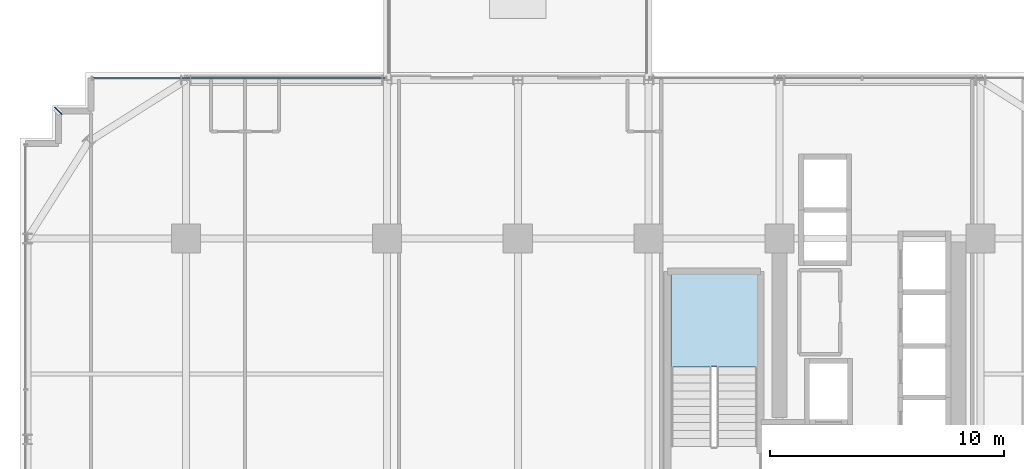
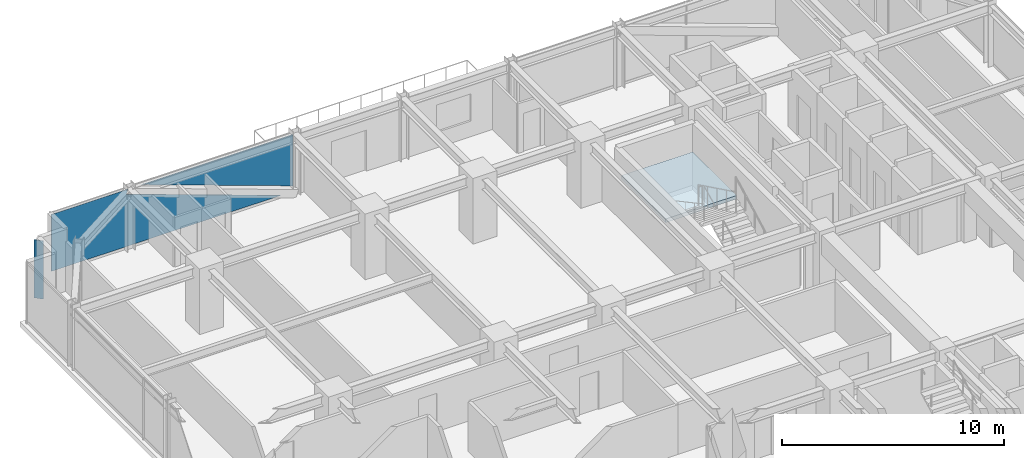
# One storey, part 30 of 41: 2 plates, 1 slab, 2 elements without a shape of their own.
"""IFC4 building model written with IfcOpenShell, lengths in metres."""

from ifc_helpers import new_model, si_unit, direction, frame, origin, origin_2d, place, context, subcontext, project, spatial, polyline, rectangle, outline, extrude, source, transform, mapped, material, layer, layer_set, type_object, element, aggregate, save


model = new_model("IFC4")

# Units and contexts
model_context = context("Model", 3, precision=1e-05, world=origin(), true_north=direction((0.0, 1.0)))
body_context = subcontext(model_context, "Body", "Model", "MODEL_VIEW")
ifc_project = project(units=[si_unit("LENGTHUNIT", "METRE"), si_unit("AREAUNIT", "SQUARE_METRE"), si_unit("VOLUMEUNIT", "CUBIC_METRE"), si_unit("PLANEANGLEUNIT", "RADIAN"), si_unit("MASSUNIT", "GRAM", prefix="KILO")], contexts=[model_context])

# Site, building, storey
site_placement = place(None, origin())
site = spatial("IfcSite", under=ifc_project, at=site_placement, CompositionType="ELEMENT")
building_placement = place(site_placement, origin())
building = spatial("IfcBuilding", under=site, at=building_placement, Name="Nahalor Promenade Grand Hotel", CompositionType="ELEMENT")
storey_placement = place(building_placement, frame((0.0, 0.0, 113.85009765625)))
storey = spatial("IfcBuildingStorey", under=building, at=storey_placement, Name="L28", CompositionType="ELEMENT", Elevation=113.85009765625)

# Curtain wall, plate
ifc_material_1 = material(Name="Anodised Bronze Aluminium EN AW-6063 T6", Category="aluminium")
curtain_wall_type = type_object("IfcCurtainWallType", Name="CW2 Typical Hotel Flush Bronze Unitised Curtain Wall", PredefinedType="USERDEFINED", material=ifc_material_1)
curtain_wall_placement = place(storey_placement, origin())
curtain_wall = element("IfcCurtainWall", 1, at=curtain_wall_placement, inside=storey, type_object=curtain_wall_type, Name="L28 Curtain Wall CW-L28-N-1", ObjectType="UNITISED_CURTAIN_WALL", PredefinedType="USERDEFINED")
ifc_material_2 = material(Name="Low-E Laminated Solar Glass", Category="glass")
ifc_layer_1 = layer(ifc_material_2, 0.028076171875)
ifc_layer_set_1 = layer_set([ifc_layer_1], Name="Low-E Laminated Solar Glass")
plate_type_1 = type_object("IfcPlateType", Name="CWP2 Bronze Low-E Vision IGU 28mm", PredefinedType="CURTAIN_PANEL", material=ifc_layer_set_1)
plate_1_placement = place(storey_placement, frame((-14.72998046875, 23.860107421875, 0.1298828125), z_axis=(0.0, 0.0, 1.0), x_axis=(1.0, 0.0, 0.0)))
plate_1 = element("IfcPlate", 2, at=plate_1_placement, type_object=plate_type_1, Name="CW-L28-N-1 Glazing Panel 0-0", PredefinedType="CURTAIN_PANEL", context=body_context, shape_type="SweptSolid", body=[
    extrude(outline(polyline([(-6.264892578125, 3.1201171875), (-6.264892578125, 0.0), (5.644287109375, 0.0), (-2.3779296875, 2.873046875), (-2.289306640625, 3.1201171875), (-6.264892578125, 3.1201171875)])), frame((0.0, 0.01416015625, 0.0), z_axis=(0.0, -1.0, 0.0), x_axis=(1.0, 0.0, 0.0)), (0.0, 0.0, 1.0), 0.028076171875),
    extrude(outline(polyline([(6.264892578125, 0.308837890625), (6.264892578125, 3.1201171875), (-1.58447265625, 3.1201171875), (6.264892578125, 0.308837890625)])), frame((0.0, 0.01416015625, 0.0), z_axis=(0.0, -1.0, 0.0), x_axis=(1.0, 0.0, 0.0)), (0.0, 0.0, 1.0), 0.028076171875),
])
aggregate(curtain_wall, [plate_1])

# Stair, slab
ifc_material_3 = material(Name="Concrete B-50 (C40/50)", Category="concrete")
stair_type = type_object("IfcStairType", Name="Stair-ST1", PredefinedType="HALF_TURN_STAIR", material=ifc_material_3)
stair_placement = place(storey_placement, origin())
stair = element("IfcStair", 3, at=stair_placement, inside=storey, type_object=stair_type, Name="L28 ST1", PredefinedType="HALF_TURN_STAIR")
ifc_layer_2 = layer(ifc_material_3, 0.199951171875)
ifc_layer_set_2 = layer_set([ifc_layer_2], Name="Concrete B-50 (C40/50)")
slab_type = type_object("IfcSlabType", Name="Landing-ST1", PredefinedType="LANDING", material=ifc_layer_set_2)
slab_placement = place(storey_placement, frame((0.0, 0.0, 1.625)))
slab = element("IfcSlab", 4, at=slab_placement, type_object=slab_type, Name="ST1 landing 1", PredefinedType="LANDING", context=body_context, shape_type="SweptSolid", body=[
    extrude(outline(polyline([(7.449951171875, 11.5), (7.449951171875, 15.449951171875), (3.75, 15.449951171875), (3.75, 11.5), (7.449951171875, 11.5)])), origin(), (0.0, 0.0, 1.0), 0.199951171875),
])
aggregate(stair, [slab])

# Plate
ifc_layer_3 = layer(ifc_material_1, 0.02001953125)
ifc_layer_set_3 = layer_set([ifc_layer_3], Name="Anodised Bronze Aluminium EN AW-6063 T6")
plate_type_2 = type_object("IfcPlateType", Name="Plate-CornerFin-20", PredefinedType="SHEET", material=ifc_layer_set_3)
shared_shape = source(origin(), body_context, "Body", "SweptSolid", [
    extrude(rectangle(XDim=0.449951171875, YDim=0.02001953125, at=origin_2d()), origin(), (0.0, 0.0, 1.0), 3.199951171875),
])
plate_2_placement = place(storey_placement, frame((-22.4599609375, 22.4599609375, 0.0), z_axis=(0.0, 0.0, 1.0), x_axis=(-0.707106781187, 0.707106781187, 0.0)))
element("IfcPlate", 5, at=plate_2_placement, inside=storey, type_object=plate_type_2, Name="FIN-L28-NW", PredefinedType="SHEET", context=body_context, shape_type="MappedRepresentation", body=[
    mapped(shared_shape, transform((0.0, 0.0, 0.0), scale=1.0)),
])

save(model, "model.ifc")
